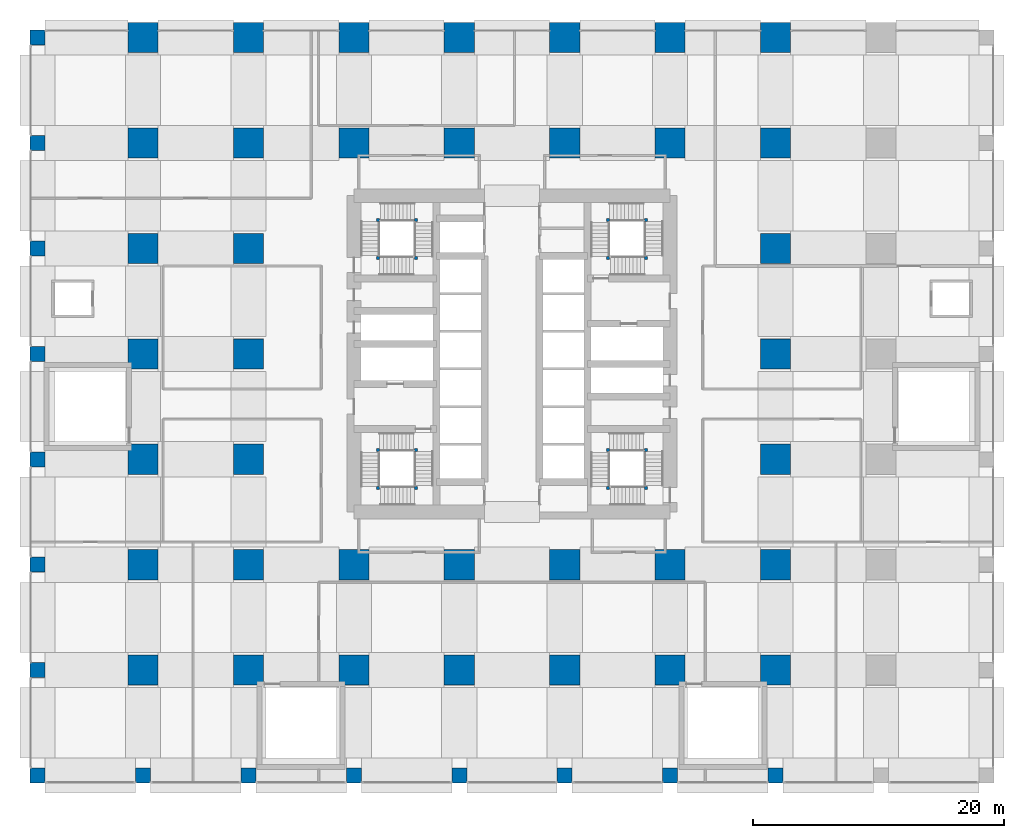
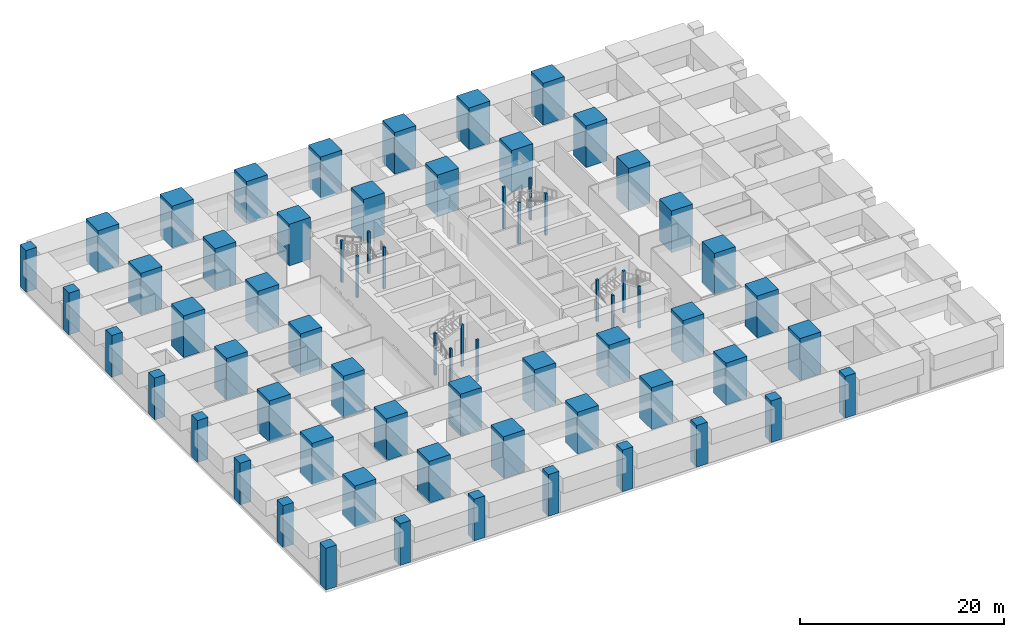
# One storey, part 1 of 52: 68 columns.
"""IFC4 building model written with IfcOpenShell, lengths in metres."""

import ifcopenshell
import ifcopenshell.guid

model = None  # the IFC model being written
_history = None  # IfcOwnerHistory: only IFC2X3 demands one
_inside = {}  # id of a spatial element -> (the spatial element, [elements in it])
_under = {}  # id of a project, library or spatial element -> (it, [spatial elements below it])
_declared = {}  # id of a project -> (the project, [libraries it declares])
_typed = {}  # id of a type object -> (the type object, [elements of that type])
_made_of = {}  # id of a material, layer set ... -> (it, [elements and type objects made of it])


def new_model(schema):
    """Start an empty IFC model of exactly this schema.

    Asked for "IFC4X3", IfcOpenShell would pick the latest addendum, in which some entities
    have other attributes; the version numbers below select the first issue.
    IFC2X3 requires an IfcOwnerHistory on every rooted entity: one is made here for all.
    """
    global model, _history
    if schema == "IFC4X3":
        model = ifcopenshell.file(schema_version=(4, 3, 0, 0))
    else:
        model = ifcopenshell.file(schema=schema)
    _inside.clear()
    _under.clear()
    _declared.clear()
    _typed.clear()
    _made_of.clear()
    _history = None
    if model.schema == "IFC2X3":
        org = make("IfcOrganization", Name="unknown")
        user = make(
            "IfcPersonAndOrganization",
            ThePerson=make("IfcPerson", FamilyName="unknown"),
            TheOrganization=org,
        )
        app = make(
            "IfcApplication",
            ApplicationDeveloper=org,
            Version="unknown",
            ApplicationFullName="unknown",
            ApplicationIdentifier="unknown",
        )
        _history = make(
            "IfcOwnerHistory",
            OwningUser=user,
            OwningApplication=app,
            ChangeAction="ADDED",
            CreationDate=0,
        )
    return model


def make(cls, **values):
    """One entity of the class cls with the attributes given. An attribute that is None is left unset."""
    return model.create_entity(
        cls, **{name: value for name, value in values.items() if value is not None}
    )


def rooted(cls, **values):
    """An entity with a GlobalId (a new one), such as an element, a storey or a relation."""
    return make(cls, GlobalId=ifcopenshell.guid.new(), OwnerHistory=_history, **values)


def si_unit(unit_type, name, prefix=None):
    """IfcSIUnit, for example si_unit("LENGTHUNIT", "METRE", prefix="MILLI")."""
    return make("IfcSIUnit", UnitType=unit_type, Prefix=prefix, Name=name)


def assignment(units):
    """IfcUnitAssignment: the units of a project."""
    return None if units is None else make("IfcUnitAssignment", Units=units)


def point(xyz):
    """IfcCartesianPoint."""
    return None if xyz is None else make("IfcCartesianPoint", Coordinates=xyz)


def direction(xyz):
    """IfcDirection."""
    return None if xyz is None else make("IfcDirection", DirectionRatios=xyz)


def frame(location, z_axis=None, x_axis=None):
    """IfcAxis2Placement3D, a coordinate frame: its origin and axes. An axis left out is left unset."""
    return make(
        "IfcAxis2Placement3D",
        Location=point(location),
        Axis=direction(z_axis),
        RefDirection=direction(x_axis),
    )


def frame_2d(location, x_axis=None):
    """IfcAxis2Placement2D, a coordinate frame in the plane: its origin and x axis."""
    return make(
        "IfcAxis2Placement2D", Location=point(location), RefDirection=direction(x_axis)
    )


def origin():
    """The frame at (0, 0, 0) with its axes left unset."""
    return frame((0.0, 0.0, 0.0))


def origin_2d():
    """The frame at (0, 0) in the plane with its x axis left unset."""
    return frame_2d((0.0, 0.0))


def place(relative_to, where):
    """IfcLocalPlacement: puts the frame where relative to a parent placement (None: the world)."""
    return make(
        "IfcLocalPlacement", PlacementRelTo=relative_to, RelativePlacement=where
    )


def context(
    kind, dimensions, precision=None, world=None, true_north=None, identifier=None
):
    """IfcGeometricRepresentationContext, for example the 3D "Model" context."""
    return make(
        "IfcGeometricRepresentationContext",
        ContextIdentifier=identifier,
        ContextType=kind,
        CoordinateSpaceDimension=dimensions,
        Precision=precision,
        WorldCoordinateSystem=world,
        TrueNorth=true_north,
    )


def subcontext(parent, identifier, kind, view, scale=None):
    """IfcGeometricRepresentationSubContext, for example "Body" below "Model"."""
    return make(
        "IfcGeometricRepresentationSubContext",
        ContextIdentifier=identifier,
        ContextType=kind,
        ParentContext=parent,
        TargetScale=scale,
        TargetView=view,
    )


def project(units=None, contexts=None):
    """IfcProject with its units and contexts."""
    return rooted(
        "IfcProject",
        Name="project",
        RepresentationContexts=contexts,
        UnitsInContext=assignment(units),
    )


def spatial(cls, under=None, at=None, **own):
    """A site, building, storey or space (cls), placed at a placement, below another one or the project."""
    s = rooted(cls, ObjectPlacement=at, **own)
    if under is not None:
        _under.setdefault(under.id(), (under, []))[1].append(s)
    return s


def profile(cls, at=None, kind="AREA", **sizes):
    """A parametric profile (cls). Its sizes go by their IFC names, for example OverallWidth=200.0."""
    return make(cls, ProfileType=kind, Position=at, **sizes)


def rectangle(**sizes):
    """IfcRectangleProfileDef."""
    return profile("IfcRectangleProfileDef", **sizes)


def extrude(swept, where, along, depth):
    """IfcExtrudedAreaSolid: the profile swept, set in the frame where, extruded along a direction by depth."""
    return make(
        "IfcExtrudedAreaSolid",
        SweptArea=swept,
        Position=where,
        ExtrudedDirection=direction(along),
        Depth=depth,
    )


def shape(context_of_items, identifier, shape_type, items):
    """IfcShapeRepresentation: the items that make up one representation, for example the "Body"."""
    return make(
        "IfcShapeRepresentation",
        ContextOfItems=context_of_items,
        RepresentationIdentifier=identifier,
        RepresentationType=shape_type,
        Items=items,
    )


def material(Name=None, Category=None):
    """IfcMaterial."""
    return make("IfcMaterial", Name=Name, Category=Category)


def material_profile(
    of_material, cross_section, Name=None, Category=None, Priority=None
):
    """IfcMaterialProfile: a cross section and its material."""
    return make(
        "IfcMaterialProfile",
        Name=Name,
        Material=of_material,
        Profile=cross_section,
        Priority=Priority,
        Category=Category,
    )


def profile_set(profiles, Name=None, composite=None):
    """IfcMaterialProfileSet."""
    return make(
        "IfcMaterialProfileSet",
        Name=Name,
        MaterialProfiles=profiles,
        CompositeProfile=composite,
    )


def made_of(thing, what):
    """Note that an element or type object is made of a material, layer set ...; save() writes the relation."""
    if what is not None:
        _made_of.setdefault(what.id(), (what, []))[1].append(thing)
    return thing


def type_object(cls, material=None, **own):
    """A type object (cls), such as IfcWallType, which elements share."""
    return made_of(rooted(cls, **own), material)


def element(
    cls,
    number,
    at=None,
    inside=None,
    cuts=None,
    type_object=None,
    material=None,
    context=None,
    identifier="Body",
    shape_type=None,
    held_by="IfcProductDefinitionShape",
    body=None,
    shapes=None,
    **own,
):
    """One element of the class cls, such as IfcWall. Its Tag is "e" and its number.

    at: its placement. inside: the storey or other place that contains it. cuts: it is an
    opening in that element (IfcRelVoidsElement). A single representation is given by context,
    identifier, shape_type and body (its items); several are given by shapes. held_by: the class
    of the entity that holds the representations. save() writes the other relations.
    """
    e = rooted(cls, Tag="e%d" % number, ObjectPlacement=at, **own)
    if body is not None:
        shapes = [shape(context, identifier, shape_type, body)]
    if shapes is not None:
        e.Representation = make(held_by, Representations=shapes)
    if inside is not None:
        _inside.setdefault(inside.id(), (inside, []))[1].append(e)
    if cuts is not None:
        rooted(
            "IfcRelVoidsElement", RelatingBuildingElement=cuts, RelatedOpeningElement=e
        )
    if type_object is not None:
        _typed.setdefault(type_object.id(), (type_object, []))[1].append(e)
    return made_of(e, material)


def aggregate(whole, parts):
    """IfcRelAggregates: a whole, such as a stair, and the parts it consists of."""
    return rooted("IfcRelAggregates", RelatingObject=whole, RelatedObjects=parts)


def save(model, path):
    """Write the relations noted so far, then the file.

    IfcRelAggregates (storeys below a building ...), IfcRelContainedInSpatialStructure (elements
    in a storey), IfcRelDefinesByType, IfcRelAssociatesMaterial and IfcRelDeclares: one each for
    every whole, place, type object, material and project.
    """
    for whole, parts in _under.values():
        aggregate(whole, parts)
    for where, things in _inside.values():
        rooted(
            "IfcRelContainedInSpatialStructure",
            RelatedElements=things,
            RelatingStructure=where,
        )
    for kind, things in _typed.values():
        rooted("IfcRelDefinesByType", RelatedObjects=things, RelatingType=kind)
    for what, things in _made_of.values():
        rooted("IfcRelAssociatesMaterial", RelatedObjects=things, RelatingMaterial=what)
    for by, libraries in _declared.values():
        rooted("IfcRelDeclares", RelatingContext=by, RelatedDefinitions=libraries)
    model.write(path)


model = new_model("IFC4")

# Units and contexts
model_context = context("Model", 3, precision=1e-05, world=origin(), true_north=direction((0.0, 1.0)))
body_context = subcontext(model_context, "Body", "Model", "MODEL_VIEW")
ifc_project = project(units=[si_unit("LENGTHUNIT", "METRE"), si_unit("AREAUNIT", "SQUARE_METRE"), si_unit("VOLUMEUNIT", "CUBIC_METRE"), si_unit("PLANEANGLEUNIT", "RADIAN"), si_unit("MASSUNIT", "GRAM", prefix="KILO")], contexts=[model_context])

# Site, building, storey
site_placement = place(None, origin())
site = spatial("IfcSite", under=ifc_project, at=site_placement, CompositionType="ELEMENT")
building_placement = place(site_placement, origin())
building = spatial("IfcBuilding", under=site, at=building_placement, Name="Rekha Terrace Tower", CompositionType="ELEMENT")
storey_placement = place(building_placement, frame((0.0, 0.0, 20.39990234375)))
storey = spatial("IfcBuildingStorey", under=building, at=storey_placement, Name="L04", CompositionType="ELEMENT", Elevation=20.39990234375)

# Columns
ifc_material_1 = material(Name="Concrete M70", Category="concrete")
ifc_material_profile_1 = material_profile(ifc_material_1, rectangle(XDim=2.39990234375, YDim=2.39990234375, at=origin_2d()), Name="RC 2400x2400")
ifc_profile_set_1 = profile_set([ifc_material_profile_1], Name="Concrete M70")
column_type_1 = type_object("IfcColumnType", Name="C1 2400x2400 column", PredefinedType="COLUMN", material=ifc_profile_set_1)
for number, where, z_axis, x_axis, name in (
    (1, (8.39990234375, 8.39990234375, 0.0), (0.0, 0.0, 1.0), (1.0, 0.0, 0.0), "Column C1 2/B L04"),
    (2, (8.39990234375, 16.800048828125, 0.0), (0.0, 0.0, 1.0), (1.0, 0.0, 0.0), "Column C1 2/C L04"),
    (3, (8.39990234375, 25.199951171875, 0.0), (0.0, 0.0, 1.0), (1.0, 0.0, 0.0), "Column C1 2/D L04"),
    (4, (8.39990234375, 33.60009765625, 0.0), (0.0, 0.0, 1.0), (1.0, 0.0, 0.0), "Column C1 2/E L04"),
    (5, (8.39990234375, 42.0, 0.0), (0.0, 0.0, 1.0), (1.0, 0.0, 0.0), "Column C1 2/F L04"),
    (6, (8.39990234375, 50.39990234375, 0.0), (0.0, 0.0, 1.0), (1.0, 0.0, 0.0), "Column C1 2/G L04"),
    (7, (8.39990234375, 58.800048828125, 0.0), (0.0, 0.0, 1.0), (1.0, 0.0, 0.0), "Column C1 2/H L04"),
    (8, (16.800048828125, 8.39990234375, 0.0), (0.0, 0.0, 1.0), (1.0, 0.0, 0.0), "Column C1 3/B L04"),
    (9, (16.800048828125, 16.800048828125, 0.0), (0.0, 0.0, 1.0), (1.0, 0.0, 0.0), "Column C1 3/C L04"),
    (10, (16.800048828125, 25.199951171875, 0.0), (0.0, 0.0, 1.0), (1.0, 0.0, 0.0), "Column C1 3/D L04"),
    (11, (16.800048828125, 33.60009765625, 0.0), (0.0, 0.0, 1.0), (1.0, 0.0, 0.0), "Column C1 3/E L04"),
    (12, (16.800048828125, 42.0, 0.0), (0.0, 0.0, 1.0), (1.0, 0.0, 0.0), "Column C1 3/F L04"),
    (13, (16.800048828125, 50.39990234375, 0.0), (0.0, 0.0, 1.0), (1.0, 0.0, 0.0), "Column C1 3/G L04"),
    (14, (16.800048828125, 58.800048828125, 0.0), (0.0, 0.0, 1.0), (1.0, 0.0, 0.0), "Column C1 3/H L04"),
    (15, (25.199951171875, 8.39990234375, 0.0), (0.0, 0.0, 1.0), (1.0, 0.0, 0.0), "Column C1 4/B L04"),
    (16, (25.199951171875, 16.800048828125, 0.0), (0.0, 0.0, 1.0), (1.0, 0.0, 0.0), "Column C1 4/C L04"),
    (17, (25.199951171875, 50.39990234375, 0.0), (0.0, 0.0, 1.0), (1.0, 0.0, 0.0), "Column C1 4/G L04"),
    (18, (25.199951171875, 58.800048828125, 0.0), (0.0, 0.0, 1.0), (1.0, 0.0, 0.0), "Column C1 4/H L04"),
    (19, (33.60009765625, 8.39990234375, 0.0), (0.0, 0.0, 1.0), (1.0, 0.0, 0.0), "Column C1 5/B L04"),
    (20, (33.60009765625, 16.800048828125, 0.0), (0.0, 0.0, 1.0), (1.0, 0.0, 0.0), "Column C1 5/C L04"),
    (21, (33.60009765625, 50.39990234375, 0.0), (0.0, 0.0, 1.0), (1.0, 0.0, 0.0), "Column C1 5/G L04"),
    (22, (33.60009765625, 58.800048828125, 0.0), (0.0, 0.0, 1.0), (1.0, 0.0, 0.0), "Column C1 5/H L04"),
    (23, (42.0, 8.39990234375, 0.0), (0.0, 0.0, 1.0), (1.0, 0.0, 0.0), "Column C1 6/B L04"),
    (24, (42.0, 16.800048828125, 0.0), (0.0, 0.0, 1.0), (1.0, 0.0, 0.0), "Column C1 6/C L04"),
    (25, (42.0, 50.39990234375, 0.0), (0.0, 0.0, 1.0), (1.0, 0.0, 0.0), "Column C1 6/G L04"),
    (26, (42.0, 58.800048828125, 0.0), (0.0, 0.0, 1.0), (1.0, 0.0, 0.0), "Column C1 6/H L04"),
    (27, (50.39990234375, 8.39990234375, 0.0), (0.0, 0.0, 1.0), (1.0, 0.0, 0.0), "Column C1 7/B L04"),
    (28, (50.39990234375, 16.800048828125, 0.0), (0.0, 0.0, 1.0), (1.0, 0.0, 0.0), "Column C1 7/C L04"),
    (29, (50.39990234375, 50.39990234375, 0.0), (0.0, 0.0, 1.0), (1.0, 0.0, 0.0), "Column C1 7/G L04"),
    (30, (50.39990234375, 58.800048828125, 0.0), (0.0, 0.0, 1.0), (1.0, 0.0, 0.0), "Column C1 7/H L04"),
    (31, (58.800048828125, 8.39990234375, 0.0), (0.0, 0.0, 1.0), (1.0, 0.0, 0.0), "Column C1 8/B L04"),
    (32, (58.800048828125, 16.800048828125, 0.0), (0.0, 0.0, 1.0), (1.0, 0.0, 0.0), "Column C1 8/C L04"),
    (33, (58.800048828125, 25.199951171875, 0.0), (0.0, 0.0, 1.0), (1.0, 0.0, 0.0), "Column C1 8/D L04"),
    (34, (58.800048828125, 33.60009765625, 0.0), (0.0, 0.0, 1.0), (1.0, 0.0, 0.0), "Column C1 8/E L04"),
    (35, (58.800048828125, 42.0, 0.0), (0.0, 0.0, 1.0), (1.0, 0.0, 0.0), "Column C1 8/F L04"),
    (36, (58.800048828125, 50.39990234375, 0.0), (0.0, 0.0, 1.0), (1.0, 0.0, 0.0), "Column C1 8/G L04"),
    (37, (58.800048828125, 58.800048828125, 0.0), (0.0, 0.0, 1.0), (1.0, 0.0, 0.0), "Column C1 8/H L04"),
):
    element("IfcColumn", number, at=place(storey_placement, frame(where, z_axis=z_axis, x_axis=x_axis)), inside=storey, type_object=column_type_1, Name=name, PredefinedType="COLUMN", context=body_context, shape_type="SweptSolid", body=[
        extrude(rectangle(XDim=2.39990234375, YDim=2.39990234375, at=origin_2d()), origin(), (0.0, 0.0, 1.0), 5.0),
    ])
ifc_material_2 = material(Name="Concrete M60", Category="concrete")
ifc_material_profile_2 = material_profile(ifc_material_2, rectangle(XDim=1.199951171875, YDim=1.199951171875, at=origin_2d()), Name="RC 1200x1200")
ifc_profile_set_2 = profile_set([ifc_material_profile_2], Name="Concrete M60")
column_type_2 = type_object("IfcColumnType", Name="C6 1200x1200 podium column", PredefinedType="COLUMN", material=ifc_profile_set_2)
for number, where, z_axis, x_axis, name in (
    (38, (0.0, 0.0, 0.0), (0.0, 0.0, 1.0), (1.0, 0.0, 0.0), "Column C6 1/A L04"),
    (39, (0.0, 8.39990234375, 0.0), (0.0, 0.0, 1.0), (1.0, 0.0, 0.0), "Column C6 1/B L04"),
    (40, (0.0, 16.800048828125, 0.0), (0.0, 0.0, 1.0), (1.0, 0.0, 0.0), "Column C6 1/C L04"),
    (41, (0.0, 25.199951171875, 0.0), (0.0, 0.0, 1.0), (1.0, 0.0, 0.0), "Column C6 1/D L04"),
    (42, (0.0, 33.60009765625, 0.0), (0.0, 0.0, 1.0), (1.0, 0.0, 0.0), "Column C6 1/E L04"),
    (43, (0.0, 42.0, 0.0), (0.0, 0.0, 1.0), (1.0, 0.0, 0.0), "Column C6 1/F L04"),
    (44, (0.0, 50.39990234375, 0.0), (0.0, 0.0, 1.0), (1.0, 0.0, 0.0), "Column C6 1/G L04"),
    (45, (0.0, 58.800048828125, 0.0), (0.0, 0.0, 1.0), (1.0, 0.0, 0.0), "Column C6 1/H L04"),
    (46, (8.39990234375, 0.0, 0.0), (0.0, 0.0, 1.0), (1.0, 0.0, 0.0), "Column C6 2/A L04"),
    (47, (16.800048828125, 0.0, 0.0), (0.0, 0.0, 1.0), (1.0, 0.0, 0.0), "Column C6 3/A L04"),
    (48, (25.199951171875, 0.0, 0.0), (0.0, 0.0, 1.0), (1.0, 0.0, 0.0), "Column C6 4/A L04"),
    (49, (33.60009765625, 0.0, 0.0), (0.0, 0.0, 1.0), (1.0, 0.0, 0.0), "Column C6 5/A L04"),
    (50, (42.0, 0.0, 0.0), (0.0, 0.0, 1.0), (1.0, 0.0, 0.0), "Column C6 6/A L04"),
    (51, (50.39990234375, 0.0, 0.0), (0.0, 0.0, 1.0), (1.0, 0.0, 0.0), "Column C6 7/A L04"),
    (52, (58.800048828125, 0.0, 0.0), (0.0, 0.0, 1.0), (1.0, 0.0, 0.0), "Column C6 8/A L04"),
):
    element("IfcColumn", number, at=place(storey_placement, frame(where, z_axis=z_axis, x_axis=x_axis)), inside=storey, type_object=column_type_2, Name=name, PredefinedType="COLUMN", context=body_context, shape_type="SweptSolid", body=[
        extrude(rectangle(XDim=1.199951171875, YDim=1.199951171875, at=origin_2d()), origin(), (0.0, 0.0, 1.0), 5.0),
    ])
ifc_material_profile_3 = material_profile(ifc_material_2, rectangle(XDim=0.25, YDim=0.25, at=origin_2d()), Name="RC 250x250")
ifc_profile_set_3 = profile_set([ifc_material_profile_3], Name="Concrete M60")
column_type_3 = type_object("IfcColumnType", Name="NP1 250x250 stair newel post", PredefinedType="COLUMN", material=ifc_profile_set_3)
for number, where, z_axis, x_axis, name in (
    (53, (30.14990234375, 25.949951171875, 0.0), (0.0, 0.0, 1.0), (1.0, 0.0, 0.0), "Stair newel post NP1"),
    (54, (30.14990234375, 22.925048828125, 0.0), (0.0, 0.0, 1.0), (1.0, 0.0, 0.0), "Stair newel post NP1"),
    (55, (27.125, 22.925048828125, 0.0), (0.0, 0.0, 1.0), (1.0, 0.0, 0.0), "Stair newel post NP1"),
    (56, (27.125, 25.949951171875, 0.0), (0.0, 0.0, 1.0), (1.0, 0.0, 0.0), "Stair newel post NP1"),
    (57, (45.449951171875, 41.25, 0.0), (0.0, 0.0, 1.0), (1.0, 0.0, 0.0), "Stair newel post NP1"),
    (58, (45.449951171875, 44.27490234375, 0.0), (0.0, 0.0, 1.0), (1.0, 0.0, 0.0), "Stair newel post NP1"),
    (59, (48.47509765625, 44.27490234375, 0.0), (0.0, 0.0, 1.0), (1.0, 0.0, 0.0), "Stair newel post NP1"),
    (60, (48.47509765625, 41.25, 0.0), (0.0, 0.0, 1.0), (1.0, 0.0, 0.0), "Stair newel post NP1"),
    (61, (48.47509765625, 22.925048828125, 0.0), (0.0, 0.0, 1.0), (1.0, 0.0, 0.0), "Stair newel post NP1"),
    (62, (45.449951171875, 22.925048828125, 0.0), (0.0, 0.0, 1.0), (1.0, 0.0, 0.0), "Stair newel post NP1"),
    (63, (45.449951171875, 25.949951171875, 0.0), (0.0, 0.0, 1.0), (1.0, 0.0, 0.0), "Stair newel post NP1"),
    (64, (48.47509765625, 25.949951171875, 0.0), (0.0, 0.0, 1.0), (1.0, 0.0, 0.0), "Stair newel post NP1"),
    (65, (27.125, 41.25, 0.0), (0.0, 0.0, 1.0), (1.0, 0.0, 0.0), "Stair newel post NP1"),
    (66, (30.14990234375, 41.25, 0.0), (0.0, 0.0, 1.0), (1.0, 0.0, 0.0), "Stair newel post NP1"),
    (67, (30.14990234375, 44.27490234375, 0.0), (0.0, 0.0, 1.0), (1.0, 0.0, 0.0), "Stair newel post NP1"),
    (68, (27.125, 44.27490234375, 0.0), (0.0, 0.0, 1.0), (1.0, 0.0, 0.0), "Stair newel post NP1"),
):
    element("IfcColumn", number, at=place(storey_placement, frame(where, z_axis=z_axis, x_axis=x_axis)), inside=storey, type_object=column_type_3, Name=name, PredefinedType="COLUMN", context=body_context, shape_type="SweptSolid", body=[
        extrude(rectangle(XDim=0.25, YDim=0.25, at=origin_2d()), origin(), (0.0, 0.0, 1.0), 5.0),
    ])

save(model, "model.ifc")
